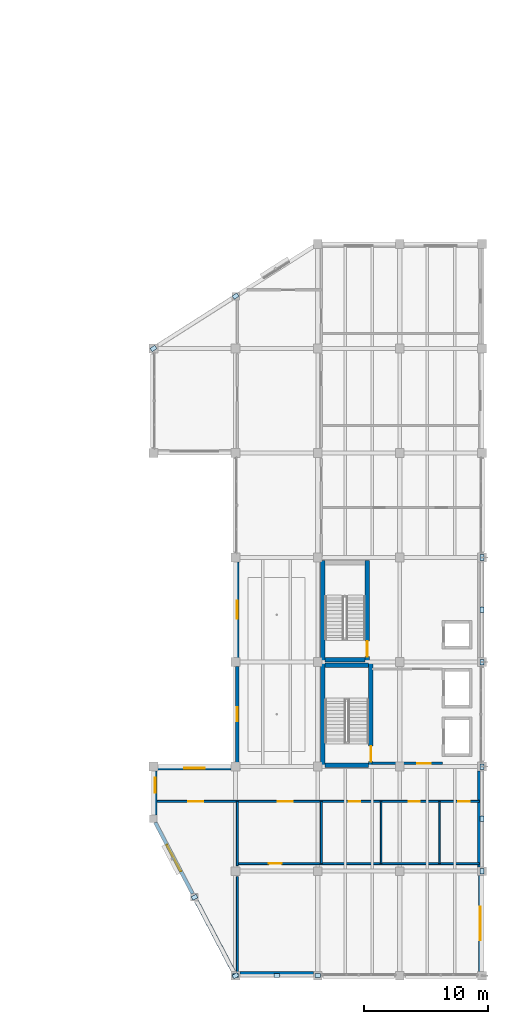
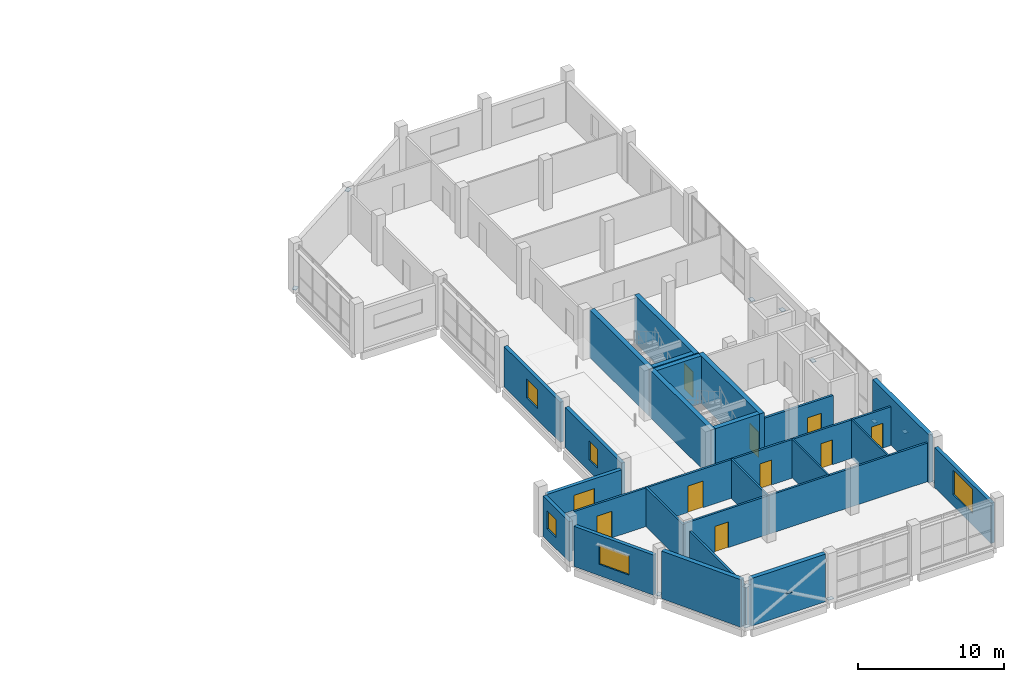
# One storey, part 9 of 19: 26 walls, 13 plates, 9 doors, 6 windows, 15 openings.
"""IFC4 building model written with IfcOpenShell, lengths in metres."""

from ifc_helpers import new_model, si_unit, direction, frame, frame_2d, origin, origin_2d, place, context, subcontext, project, spatial, rectangle, extrude, material, layer, layer_set, type_object, element, fill, save


model = new_model("IFC4")

# Units and contexts
model_context = context("Model", 3, precision=1e-05, world=origin(), true_north=direction((0.0, 1.0)))
body_context = subcontext(model_context, "Body", "Model", "MODEL_VIEW")
ifc_project = project(units=[si_unit("LENGTHUNIT", "METRE"), si_unit("AREAUNIT", "SQUARE_METRE"), si_unit("VOLUMEUNIT", "CUBIC_METRE"), si_unit("PLANEANGLEUNIT", "RADIAN"), si_unit("MASSUNIT", "GRAM", prefix="KILO")], contexts=[model_context])

# Site, building, storey
site_placement = place(None, origin())
site = spatial("IfcSite", under=ifc_project, at=site_placement, CompositionType="ELEMENT")
building_placement = place(site_placement, origin())
building = spatial("IfcBuilding", under=site, at=building_placement, Name="Qaldarim Faculty of Natural and Applied Sciences", CompositionType="ELEMENT")
storey_placement = place(building_placement, frame((0.0, 0.0, 27.0)))
storey = spatial("IfcBuildingStorey", under=building, at=storey_placement, Name="L06", CompositionType="ELEMENT", Elevation=27.0)

# Plates
ifc_material_1 = material(Name="Structural steel S355", Category="steel")
ifc_layer_1 = layer(ifc_material_1, 0.02001953125)
ifc_layer_set_1 = layer_set([ifc_layer_1], Name="Structural steel S355")
plate_type = type_object("IfcPlateType", Name="GussetPlate-S355-450x320x20", PredefinedType="SHEET", material=ifc_layer_set_1)
for number, where, z_axis, x_axis, name in (
    (1, (161.699951171875, 0.0, 1.830078125), (0.0, 0.0, 1.0), (1.0, 0.0, 0.0), "South diagrid L06 X-crossing gusset plate"),
    (2, (158.39990234375, 0.0, 0.139892578125), (0.0, 0.0, 1.0), (1.0, 0.0, 0.0), "South diagrid L06 base gusset BL"),
    (3, (165.0, 0.0, 0.139892578125), (0.0, 0.0, 1.0), (1.0, 0.0, 0.0), "South diagrid L06 base gusset BR"),
    (4, (178.199951171875, 12.60009765625, 1.830078125), (0.0, 0.0, 1.0), (0.0, 1.0, 0.0), "East diagrid L06 X-crossing gusset plate"),
    (5, (178.199951171875, 8.39990234375, 0.139892578125), (0.0, 0.0, 1.0), (0.0, 1.0, 0.0), "East diagrid L06 base gusset BL"),
    (6, (178.199951171875, 16.800048828125, 0.139892578125), (0.0, 0.0, 1.0), (0.0, 1.0, 0.0), "East diagrid L06 base gusset BR"),
    (7, (178.199951171875, 29.39990234375, 1.830078125), (0.0, 0.0, 1.0), (0.0, 1.0, 0.0), "Upper east diagrid L06 X-crossing gusset plate"),
    (8, (178.199951171875, 25.199951171875, 0.139892578125), (0.0, 0.0, 1.0), (0.0, 1.0, 0.0), "Upper east diagrid L06 base gusset BL"),
    (9, (178.199951171875, 33.60009765625, 0.139892578125), (0.0, 0.0, 1.0), (0.0, 1.0, 0.0), "Upper east diagrid L06 base gusset BR"),
    (10, (155.10009765625, 6.300048828125, 0.14990234375), (0.0, 0.0, 1.0), (0.882947592859, 0.469471562786, 0.0), "Oblique SW brace base plate L06 2"),
    (11, (158.39990234375, 0.0, 3.510009765625), (0.0, 0.0, 1.0), (0.882947592859, 0.469471562786, 0.0), "Oblique SW brace head plate L06 2"),
    (12, (151.800048828125, 50.39990234375, 0.14990234375), (0.0, 0.0, 1.0), (0.838670567945, 0.544639035015, 0.0), "Oblique NW brace base plate L06"),
    (13, (158.39990234375, 54.60009765625, 3.510009765625), (0.0, 0.0, 1.0), (0.838670567945, 0.544639035015, 0.0), "Oblique NW brace head plate L06"),
):
    element("IfcPlate", number, at=place(storey_placement, frame(where, z_axis=z_axis, x_axis=x_axis)), inside=storey, type_object=plate_type, Name=name, PredefinedType="SHEET", context=body_context, shape_type="SweptSolid", body=[
        extrude(rectangle(XDim=0.449951171875, YDim=0.320068359375, at=origin_2d()), origin(), (0.0, 0.0, 1.0), 0.02001953125),
    ])

# Walls
ifc_material_2 = material(Name="Painted gypsum partition board")
ifc_layer_2 = layer(ifc_material_2, 0.1201171875)
ifc_layer_set_2 = layer_set([ifc_layer_2], Name="Painted gypsum partition board")
wall_type_1 = type_object("IfcWallType", Name="AcousticPartition-120", PredefinedType="PARTITIONING", material=ifc_layer_set_2)
for number, where, z_axis, x_axis, name in (
    (14, (170.10009765625, 9.0, 0.0), (0.0, 0.0, 1.0), (0.0, 1.0, 0.0), "Interior partition PRT-L06-V5-WCD1"),
    (15, (174.800048828125, 9.0, 0.0), (0.0, 0.0, 1.0), (0.0, 1.0, 0.0), "Interior partition PRT-L06-V5-WCD2"),
):
    element("IfcWall", number, at=place(storey_placement, frame(where, z_axis=z_axis, x_axis=x_axis)), inside=storey, type_object=wall_type_1, Name=name, PredefinedType="PARTITIONING", context=body_context, shape_type="SweptSolid", body=[
        extrude(rectangle(XDim=5.0, YDim=0.1201171875, at=frame_2d((2.5, 0.0))), origin(), (0.0, 0.0, 1.0), 3.22998046875),
    ])
ifc_material_3 = material(Name="Concrete C50/60", Category="concrete")
ifc_layer_3 = layer(ifc_material_3, 0.360107421875)
ifc_layer_set_3 = layer_set([ifc_layer_3], Name="Concrete C50/60")
wall_type_2 = type_object("IfcWallType", Name="CoreShearWall-360", PredefinedType="SHEAR", material=ifc_layer_set_3)
wall_1_placement = place(storey_placement, frame((165.419921875, 16.739990234375, 0.0), z_axis=(0.0, 0.0, 1.0), x_axis=(0.0, 1.0, 0.0)))
element("IfcWall", 16, at=wall_1_placement, inside=storey, type_object=wall_type_2, Name="Core stair ST-A1 west shear wall L06", PredefinedType="SHEAR", context=body_context, shape_type="SweptSolid", body=[
    extrude(rectangle(XDim=8.3701171875, YDim=0.360107421875, at=frame_2d((4.18505859375, 0.0))), origin(), (0.0, 0.0, 1.0), 3.97998046875),
])

# Wall, opening, door
wall_2_placement = place(storey_placement, frame((169.280029296875, 16.739990234375, 0.0), z_axis=(0.0, 0.0, 1.0), x_axis=(0.0, 1.0, 0.0)))
wall_2 = element("IfcWall", 17, at=wall_2_placement, inside=storey, type_object=wall_type_2, Name="Core stair ST-A1 east shear wall L06", PredefinedType="SHEAR", context=body_context, shape_type="SweptSolid", body=[
    extrude(rectangle(XDim=8.3701171875, YDim=0.360107421875, at=frame_2d((4.18505859375, 0.0))), origin(), (0.0, 0.0, 1.0), 3.97998046875),
])
opening_1_placement = place(wall_2_placement, frame((0.449951171875, 0.0, 0.0)))
opening_1 = element("IfcOpeningElement", 18, at=opening_1_placement, cuts=wall_2, Name="Opening ID04", PredefinedType="OPENING", context=body_context, shape_type="SweptSolid", body=[
    extrude(rectangle(XDim=1.25, YDim=2.14990234375, at=frame_2d((0.625, 1.074951171875))), frame((0.0, 0.18994140625, 0.0), z_axis=(0.0, -1.0, 0.0), x_axis=(1.0, 0.0, 0.0)), (0.0, 0.0, 1.0), 0.380126953125),
])
ifc_material_4 = material(Name="Architectural stainless steel 316", Category="steel")
door_type_1 = type_object("IfcDoorType", Name="StairEnclosureFireDoor-1250x2150", OperationType="NOTDEFINED", PredefinedType="DOOR", material=ifc_material_4)
door_1_placement = place(opening_1_placement, origin())
door_1 = element("IfcDoor", 19, at=door_1_placement, inside=storey, type_object=door_type_1, Name="Protected stair ST-A1 fire door D-L06-508", OperationType="SINGLE_SWING_RIGHT", OverallHeight=2.14990234375, OverallWidth=1.25, PredefinedType="DOOR", context=body_context, shape_type="SweptSolid", body=[
    extrude(rectangle(XDim=1.25, YDim=2.14990234375, at=frame_2d((0.625, 1.074951171875))), frame((0.0, 0.02490234375, 0.0), z_axis=(0.0, -1.0, 0.0), x_axis=(1.0, 0.0, 0.0)), (0.0, 0.0, 1.0), 0.050048828125),
])
fill(opening_1, door_1)

# Walls
for number, where, z_axis, x_axis, name in (
    (20, (165.60009765625, 24.929931640625, 0.0), (0.0, 0.0, 1.0), (1.0, 0.0, 0.0), "Core stair ST-A1 north shear wall L06"),
    (21, (165.60009765625, 16.919921875, 0.0), (0.0, 0.0, 1.0), (1.0, 0.0, 0.0), "Core stair ST-A1 south shear wall L06"),
):
    element("IfcWall", number, at=place(storey_placement, frame(where, z_axis=z_axis, x_axis=x_axis)), inside=storey, type_object=wall_type_2, Name=name, PredefinedType="SHEAR", context=body_context, shape_type="SweptSolid", body=[
        extrude(rectangle(XDim=3.5, YDim=0.360107421875, at=frame_2d((1.75, 0.0))), origin(), (0.0, 0.0, 1.0), 3.97998046875),
    ])
wall_3_placement = place(storey_placement, frame((165.419921875, 25.18994140625, 0.0), z_axis=(0.0, 0.0, 1.0), x_axis=(0.0, 1.0, 0.0)))
element("IfcWall", 22, at=wall_3_placement, inside=storey, type_object=wall_type_2, Name="Core stair ST-A2 west shear wall L06", PredefinedType="SHEAR", context=body_context, shape_type="SweptSolid", body=[
    extrude(rectangle(XDim=8.170166015625, YDim=0.360107421875, at=frame_2d((4.0849609375, 0.0))), origin(), (0.0, 0.0, 1.0), 3.97998046875),
])

# Wall, opening, door
wall_4_placement = place(storey_placement, frame((168.97998046875, 25.18994140625, 0.0), z_axis=(0.0, 0.0, 1.0), x_axis=(0.0, 1.0, 0.0)))
wall_4 = element("IfcWall", 23, at=wall_4_placement, inside=storey, type_object=wall_type_2, Name="Core stair ST-A2 east shear wall L06", PredefinedType="SHEAR", context=body_context, shape_type="SweptSolid", body=[
    extrude(rectangle(XDim=8.170166015625, YDim=0.360107421875, at=frame_2d((4.0849609375, 0.0))), origin(), (0.0, 0.0, 1.0), 3.97998046875),
])
opening_2_placement = place(wall_4_placement, frame((0.449951171875, 0.0, 0.0)))
opening_2 = element("IfcOpeningElement", 24, at=opening_2_placement, cuts=wall_4, Name="Opening ID04", PredefinedType="OPENING", context=body_context, shape_type="SweptSolid", body=[
    extrude(rectangle(XDim=1.25, YDim=2.14990234375, at=frame_2d((0.625, 1.074951171875))), frame((0.0, 0.18994140625, 0.0), z_axis=(0.0, -1.0, 0.0), x_axis=(1.0, 0.0, 0.0)), (0.0, 0.0, 1.0), 0.380126953125),
])
door_2_placement = place(opening_2_placement, origin())
door_2 = element("IfcDoor", 25, at=door_2_placement, inside=storey, type_object=door_type_1, Name="Protected stair ST-A2 fire door D-L06-520", OperationType="SINGLE_SWING_RIGHT", OverallHeight=2.14990234375, OverallWidth=1.25, PredefinedType="DOOR", context=body_context, shape_type="SweptSolid", body=[
    extrude(rectangle(XDim=1.25, YDim=2.14990234375, at=frame_2d((0.625, 1.074951171875))), frame((0.0, 0.02490234375, 0.0), z_axis=(0.0, -1.0, 0.0), x_axis=(1.0, 0.0, 0.0)), (0.0, 0.0, 1.0), 0.050048828125),
])
fill(opening_2, door_2)

# Wall
wall_5_placement = place(storey_placement, frame((165.60009765625, 25.3701171875, 0.0), z_axis=(0.0, 0.0, 1.0), x_axis=(1.0, 0.0, 0.0)))
element("IfcWall", 26, at=wall_5_placement, inside=storey, type_object=wall_type_2, Name="Core stair ST-A2 south shear wall L06", PredefinedType="SHEAR", context=body_context, shape_type="SweptSolid", body=[
    extrude(rectangle(XDim=3.199951171875, YDim=0.360107421875, at=frame_2d((1.60009765625, 0.0))), origin(), (0.0, 0.0, 1.0), 3.97998046875),
])

# Wall, opening, window
ifc_material_5 = material(Name="Precast concrete C40/50", Category="concrete")
ifc_layer_4 = layer(ifc_material_5, 0.280029296875)
ifc_layer_set_4 = layer_set([ifc_layer_4], Name="Precast concrete C40/50")
wall_type_3 = type_object("IfcWallType", Name="ExteriorSpandrelWall-280", PredefinedType="SOLIDWALL", material=ifc_layer_set_4)
wall_6_placement = place(storey_placement, frame((158.054931640625, 16.659912109375, 0.0), z_axis=(0.0, 0.0, 1.0), x_axis=(-1.0, 0.0, 0.0)))
wall_6 = element("IfcWall", 27, at=wall_6_placement, inside=storey, type_object=wall_type_3, Name="Exterior wall EW02 L06 N X24Y02", PredefinedType="SOLIDWALL", context=body_context, shape_type="SweptSolid", body=[
    extrude(rectangle(XDim=5.909912109375, YDim=0.280029296875, at=frame_2d((2.955078125, 0.0))), origin(), (0.0, 0.0, 1.0), 3.31494140625),
])
opening_3_placement = place(wall_6_placement, frame((2.1298828125, 0.0, 0.949951171875)))
opening_3 = element("IfcOpeningElement", 28, at=opening_3_placement, cuts=wall_6, Name="Opening WN10", PredefinedType="OPENING", context=body_context, shape_type="SweptSolid", body=[
    extrude(rectangle(XDim=1.64990234375, YDim=1.550048828125, at=frame_2d((0.824951171875, 0.77490234375))), frame((0.0, 0.14990234375, 0.0), z_axis=(0.0, -1.0, 0.0), x_axis=(1.0, 0.0, 0.0)), (0.0, 0.0, 1.0), 0.300048828125),
])
ifc_material_6 = material(Name="Insulated low-e double glazing", Category="glass")
window_type_1 = type_object("IfcWindowType", Name="LabWindow-1650x1550", PartitioningType="DOUBLE_PANEL_VERTICAL", PredefinedType="WINDOW", material=ifc_material_6)
window_1_placement = place(opening_3_placement, origin())
window_1 = element("IfcWindow", 29, at=window_1_placement, inside=storey, type_object=window_type_1, Name="Facade window WN10 L06 N X24Y02", OverallHeight=1.550048828125, OverallWidth=1.64990234375, PartitioningType="SINGLE_PANEL", PredefinedType="WINDOW", context=body_context, shape_type="SweptSolid", body=[
    extrude(rectangle(XDim=1.64990234375, YDim=1.550048828125, at=frame_2d((0.824951171875, 0.77490234375))), frame((0.0, 0.030029296875, 0.0), z_axis=(0.0, -1.0, 0.0), x_axis=(1.0, 0.0, 0.0)), (0.0, 0.0, 1.0), 0.06005859375),
])
fill(opening_3, window_1)

wall_7_placement = place(storey_placement, frame((158.5400390625, 24.85498046875, 0.0), z_axis=(0.0, 0.0, 1.0), x_axis=(0.0, -1.0, 0.0)))
wall_7 = element("IfcWall", 30, at=wall_7_placement, inside=storey, type_object=wall_type_3, Name="Exterior wall EW02 L06 W X25Y03", PredefinedType="SOLIDWALL", context=body_context, shape_type="SweptSolid", body=[
    extrude(rectangle(XDim=7.7099609375, YDim=0.280029296875, at=frame_2d((3.85498046875, 0.0))), origin(), (0.0, 0.0, 1.0), 3.364990234375),
])
opening_4_placement = place(wall_7_placement, frame((3.280029296875, 0.0, 0.949951171875)))
opening_4 = element("IfcOpeningElement", 31, at=opening_4_placement, cuts=wall_7, Name="Opening WN31", PredefinedType="OPENING", context=body_context, shape_type="SweptSolid", body=[
    extrude(rectangle(XDim=1.14990234375, YDim=1.60009765625, at=frame_2d((0.574951171875, 0.800048828125))), frame((0.0, 0.14990234375, 0.0), z_axis=(0.0, -1.0, 0.0), x_axis=(1.0, 0.0, 0.0)), (0.0, 0.0, 1.0), 0.300048828125),
])
window_type_2 = type_object("IfcWindowType", Name="SeminarWindow-1150x1600", PartitioningType="SINGLE_PANEL", PredefinedType="WINDOW", material=ifc_material_6)
window_2_placement = place(opening_4_placement, origin())
window_2 = element("IfcWindow", 32, at=window_2_placement, inside=storey, type_object=window_type_2, Name="Facade window WN31 L06 W X25Y03", OverallHeight=1.60009765625, OverallWidth=1.14990234375, PartitioningType="SINGLE_PANEL", PredefinedType="WINDOW", context=body_context, shape_type="SweptSolid", body=[
    extrude(rectangle(XDim=1.14990234375, YDim=1.60009765625, at=frame_2d((0.574951171875, 0.800048828125))), frame((0.0, 0.030029296875, 0.0), z_axis=(0.0, -1.0, 0.0), x_axis=(1.0, 0.0, 0.0)), (0.0, 0.0, 1.0), 0.06005859375),
])
fill(opening_4, window_2)

wall_8_placement = place(storey_placement, frame((158.5400390625, 33.2548828125, 0.0), z_axis=(0.0, 0.0, 1.0), x_axis=(0.0, -1.0, 0.0)))
wall_8 = element("IfcWall", 33, at=wall_8_placement, inside=storey, type_object=wall_type_3, Name="Exterior wall EW02 L06 W X25Y04", PredefinedType="SOLIDWALL", context=body_context, shape_type="SweptSolid", body=[
    extrude(rectangle(XDim=7.7099609375, YDim=0.280029296875, at=frame_2d((3.85498046875, 0.0))), origin(), (0.0, 0.0, 1.0), 3.364990234375),
])
opening_5_placement = place(wall_8_placement, frame((3.1298828125, 0.0, 0.949951171875)))
opening_5 = element("IfcOpeningElement", 34, at=opening_5_placement, cuts=wall_8, Name="Opening WN32", PredefinedType="OPENING", context=body_context, shape_type="SweptSolid", body=[
    extrude(rectangle(XDim=1.449951171875, YDim=1.60009765625, at=frame_2d((0.72509765625, 0.800048828125))), frame((0.0, 0.14990234375, 0.0), z_axis=(0.0, -1.0, 0.0), x_axis=(1.0, 0.0, 0.0)), (0.0, 0.0, 1.0), 0.300048828125),
])
window_type_3 = type_object("IfcWindowType", Name="SeminarWindow-1450x1600", PartitioningType="DOUBLE_PANEL_VERTICAL", PredefinedType="WINDOW", material=ifc_material_6)
window_3_placement = place(opening_5_placement, origin())
window_3 = element("IfcWindow", 35, at=window_3_placement, inside=storey, type_object=window_type_3, Name="Facade window WN32 L06 W X25Y04", OverallHeight=1.60009765625, OverallWidth=1.449951171875, PartitioningType="SINGLE_PANEL", PredefinedType="WINDOW", context=body_context, shape_type="SweptSolid", body=[
    extrude(rectangle(XDim=1.449951171875, YDim=1.60009765625, at=frame_2d((0.72509765625, 0.800048828125))), frame((0.0, 0.030029296875, 0.0), z_axis=(0.0, -1.0, 0.0), x_axis=(1.0, 0.0, 0.0)), (0.0, 0.0, 1.0), 0.06005859375),
])
fill(opening_5, window_3)

wall_9_placement = place(storey_placement, frame((178.06005859375, 0.344970703125, 0.0), z_axis=(0.0, 0.0, 1.0), x_axis=(0.0, 1.0, 0.0)))
wall_9 = element("IfcWall", 36, at=wall_9_placement, inside=storey, type_object=wall_type_3, Name="Exterior wall EW02 L06 E X27Y01", PredefinedType="SOLIDWALL", context=body_context, shape_type="SweptSolid", body=[
    extrude(rectangle(XDim=7.7099609375, YDim=0.280029296875, at=frame_2d((3.85498046875, 0.0))), origin(), (0.0, 0.0, 1.0), 3.364990234375),
])
opening_6_placement = place(wall_9_placement, frame((2.5048828125, 0.0, 0.949951171875)))
opening_6 = element("IfcOpeningElement", 37, at=opening_6_placement, cuts=wall_9, Name="Opening WN29", PredefinedType="OPENING", context=body_context, shape_type="SweptSolid", body=[
    extrude(rectangle(XDim=2.699951171875, YDim=2.050048828125, at=frame_2d((1.35009765625, 1.02490234375))), frame((0.0, 0.14990234375, 0.0), z_axis=(0.0, -1.0, 0.0), x_axis=(1.0, 0.0, 0.0)), (0.0, 0.0, 1.0), 0.300048828125),
])
window_type_4 = type_object("IfcWindowType", Name="GalleryWindow-2700x2050", PartitioningType="TRIPLE_PANEL_VERTICAL", PredefinedType="WINDOW", material=ifc_material_6)
window_4_placement = place(opening_6_placement, origin())
window_4 = element("IfcWindow", 38, at=window_4_placement, inside=storey, type_object=window_type_4, Name="Facade window WN29 L06 E X27Y01", OverallHeight=2.050048828125, OverallWidth=2.699951171875, PartitioningType="SINGLE_PANEL", PredefinedType="WINDOW", context=body_context, shape_type="SweptSolid", body=[
    extrude(rectangle(XDim=2.699951171875, YDim=2.050048828125, at=frame_2d((1.35009765625, 1.02490234375))), frame((0.0, 0.030029296875, 0.0), z_axis=(0.0, -1.0, 0.0), x_axis=(1.0, 0.0, 0.0)), (0.0, 0.0, 1.0), 0.06005859375),
])
fill(opening_6, window_4)

wall_10_placement = place(storey_placement, frame((151.93994140625, 16.455078125, 0.0), z_axis=(0.0, 0.0, 1.0), x_axis=(0.0, -1.0, 0.0)))
wall_10 = element("IfcWall", 39, at=wall_10_placement, inside=storey, type_object=wall_type_3, Name="Oblique SW chamfer return facade wall L06", PredefinedType="SOLIDWALL", context=body_context, shape_type="SweptSolid", body=[
    extrude(rectangle(XDim=3.56005859375, YDim=0.280029296875, at=frame_2d((1.780029296875, 0.0))), origin(), (0.0, 0.0, 1.0), 3.364990234375),
])
opening_7_placement = place(wall_10_placement, frame((0.550048828125, 0.0, 0.949951171875)))
opening_7 = element("IfcOpeningElement", 40, at=opening_7_placement, cuts=wall_10, Name="Opening WN01", PredefinedType="OPENING", context=body_context, shape_type="SweptSolid", body=[
    extrude(rectangle(XDim=1.199951171875, YDim=1.5, at=frame_2d((0.60009765625, 0.75))), frame((0.0, 0.14990234375, 0.0), z_axis=(0.0, -1.0, 0.0), x_axis=(1.0, 0.0, 0.0)), (0.0, 0.0, 1.0), 0.300048828125),
])
window_type_5 = type_object("IfcWindowType", Name="Window-1200x1500", PartitioningType="SINGLE_PANEL", PredefinedType="WINDOW", material=ifc_material_6)
window_5_placement = place(opening_7_placement, origin())
window_5 = element("IfcWindow", 41, at=window_5_placement, inside=storey, type_object=window_type_5, Name="Oblique SW return window L06", OverallHeight=1.5, OverallWidth=1.199951171875, PartitioningType="SINGLE_PANEL", PredefinedType="WINDOW", context=body_context, shape_type="SweptSolid", body=[
    extrude(rectangle(XDim=1.199951171875, YDim=1.5, at=frame_2d((0.60009765625, 0.75))), frame((0.0, 0.030029296875, 0.0), z_axis=(0.0, -1.0, 0.0), x_axis=(1.0, 0.0, 0.0)), (0.0, 0.0, 1.0), 0.06005859375),
])
fill(opening_7, window_5)

wall_11_placement = place(storey_placement, frame((151.949951171875, 12.31005859375, 0.0), z_axis=(0.0, 0.0, 1.0), x_axis=(0.464471613901, -0.885588007981, 0.0)))
wall_11 = element("IfcWall", 42, at=wall_11_placement, inside=storey, type_object=wall_type_3, Name="Oblique SW chamfer fenestrated wall L06 1", PredefinedType="SOLIDWALL", context=body_context, shape_type="SweptSolid", body=[
    extrude(rectangle(XDim=6.458984375, YDim=0.280029296875, at=frame_2d((3.2294921875, 0.0))), origin(), (0.0, 0.0, 1.0), 3.364990234375),
])
opening_8_placement = place(wall_11_placement, frame((2.030029296875, 0.0, 0.949951171875)))
opening_8 = element("IfcOpeningElement", 43, at=opening_8_placement, cuts=wall_11, Name="Opening WN03", PredefinedType="OPENING", context=body_context, shape_type="SweptSolid", body=[
    extrude(rectangle(XDim=2.39990234375, YDim=1.60009765625, at=frame_2d((1.199951171875, 0.800048828125))), frame((0.0, 0.14990234375, 0.0), z_axis=(0.0, -1.0, 0.0), x_axis=(1.0, 0.0, 0.0)), (0.0, 0.0, 1.0), 0.300048828125),
])
window_type_6 = type_object("IfcWindowType", Name="Window-2400x1600", PartitioningType="TRIPLE_PANEL_VERTICAL", PredefinedType="WINDOW", material=ifc_material_6)
window_6_placement = place(opening_8_placement, origin())
window_6 = element("IfcWindow", 44, at=window_6_placement, inside=storey, type_object=window_type_6, Name="Oblique SW chamfer window L06 1", OverallHeight=1.60009765625, OverallWidth=2.39990234375, PartitioningType="SINGLE_PANEL", PredefinedType="WINDOW", context=body_context, shape_type="SweptSolid", body=[
    extrude(rectangle(XDim=2.39990234375, YDim=1.60009765625, at=frame_2d((1.199951171875, 0.800048828125))), frame((0.0, 0.030029296875, 0.0), z_axis=(0.0, -1.0, 0.0), x_axis=(1.0, 0.0, 0.0)), (0.0, 0.0, 1.0), 0.06005859375),
])
fill(opening_8, window_6)

# Walls
ifc_layer_5 = layer(ifc_material_3, 0.340087890625)
ifc_layer_set_5 = layer_set([ifc_layer_5], Name="Concrete C50/60")
wall_type_4 = type_object("IfcWallType", Name="ExteriorStairShearWall-340", PredefinedType="SHEAR", material=ifc_layer_set_5)
wall_12_placement = place(storey_placement, frame((158.7451171875, 0.169921875, 0.0), z_axis=(0.0, 0.0, 1.0), x_axis=(1.0, 0.0, 0.0)))
element("IfcWall", 45, at=wall_12_placement, inside=storey, type_object=wall_type_4, Name="Exterior wall EW05 L06 S X25Y01", PredefinedType="SHEAR", context=body_context, shape_type="SweptSolid", body=[
    extrude(rectangle(XDim=5.909912109375, YDim=0.340087890625, at=frame_2d((2.955078125, 0.0))), origin(), (0.0, 0.0, 1.0), 3.97998046875),
])
wall_13_placement = place(storey_placement, frame((178.030029296875, 8.7451171875, 0.0), z_axis=(0.0, 0.0, 1.0), x_axis=(0.0, 1.0, 0.0)))
element("IfcWall", 46, at=wall_13_placement, inside=storey, type_object=wall_type_4, Name="Exterior wall EW05 L06 E X27Y02", PredefinedType="SHEAR", context=body_context, shape_type="SweptSolid", body=[
    extrude(rectangle(XDim=7.7099609375, YDim=0.340087890625, at=frame_2d((3.85498046875, 0.0))), origin(), (0.0, 0.0, 1.0), 3.97998046875),
])
wall_14_placement = place(storey_placement, frame((155.25, 6.010009765625, 0.0), z_axis=(0.0, 0.0, 1.0), x_axis=(0.464471613901, -0.885588007981, 0.0)))
element("IfcWall", 47, at=wall_14_placement, inside=storey, type_object=wall_type_4, Name="Oblique SW chamfer braced wall L06 2", PredefinedType="SHEAR", context=body_context, shape_type="SweptSolid", body=[
    extrude(rectangle(XDim=6.458984375, YDim=0.340087890625, at=frame_2d((3.2294921875, 0.0))), origin(), (0.0, 0.0, 1.0), 3.97998046875),
])

# Wall, openings, doors
ifc_material_7 = material(Name="Concrete C40/50", Category="concrete")
ifc_layer_6 = layer(ifc_material_7, 0.159912109375)
ifc_layer_set_6 = layer_set([ifc_layer_6], Name="Concrete C40/50")
wall_type_5 = type_object("IfcWallType", Name="FireCorridorWall-160", PredefinedType="PARTITIONING", material=ifc_layer_set_6)
wall_15_placement = place(storey_placement, frame((165.300048828125, 14.0, 0.0), z_axis=(0.0, 0.0, 1.0), x_axis=(1.0, 0.0, 0.0)))
wall_15 = element("IfcWall", 48, at=wall_15_placement, inside=storey, type_object=wall_type_5, Name="Interior partition PRT-L06-V5-WCN", PredefinedType="PARTITIONING", context=body_context, shape_type="SweptSolid", body=[
    extrude(rectangle(XDim=12.699951171875, YDim=0.159912109375, at=frame_2d((6.35009765625, 0.0))), origin(), (0.0, 0.0, 1.0), 3.22998046875),
])
opening_9_placement = place(wall_15_placement, frame((2.199951171875, 0.0, 0.0)))
opening_9 = element("IfcOpeningElement", 49, at=opening_9_placement, cuts=wall_15, Name="Opening ID14", PredefinedType="OPENING", context=body_context, shape_type="SweptSolid", body=[
    extrude(rectangle(XDim=0.919921875, YDim=2.080078125, at=frame_2d((0.4599609375, 1.0400390625))), frame((0.0, 0.08984375, 0.0), z_axis=(0.0, -1.0, 0.0), x_axis=(1.0, 0.0, 0.0)), (0.0, 0.0, 1.0), 0.179931640625),
])
opening_10_placement = place(wall_15_placement, frame((7.0, 0.0, 0.0)))
opening_10 = element("IfcOpeningElement", 50, at=opening_10_placement, cuts=wall_15, Name="Opening ID14", PredefinedType="OPENING", context=body_context, shape_type="SweptSolid", body=[
    extrude(rectangle(XDim=0.919921875, YDim=2.080078125, at=frame_2d((0.4599609375, 1.0400390625))), frame((0.0, 0.08984375, 0.0), z_axis=(0.0, -1.0, 0.0), x_axis=(1.0, 0.0, 0.0)), (0.0, 0.0, 1.0), 0.179931640625),
])
opening_11_placement = place(wall_15_placement, frame((11.0, 0.0, 0.0)))
opening_11 = element("IfcOpeningElement", 51, at=opening_11_placement, cuts=wall_15, Name="Opening ID14", PredefinedType="OPENING", context=body_context, shape_type="SweptSolid", body=[
    extrude(rectangle(XDim=0.919921875, YDim=2.080078125, at=frame_2d((0.4599609375, 1.0400390625))), frame((0.0, 0.08984375, 0.0), z_axis=(0.0, -1.0, 0.0), x_axis=(1.0, 0.0, 0.0)), (0.0, 0.0, 1.0), 0.179931640625),
])
ifc_material_8 = material(Name="Oak hardwood", Category="wood")
door_type_2 = type_object("IfcDoorType", Name="WashroomDoor-920x2080", OperationType="NOTDEFINED", PredefinedType="DOOR", material=ifc_material_8)
door_3_placement = place(opening_9_placement, origin())
door_3 = element("IfcDoor", 52, at=door_3_placement, inside=storey, type_object=door_type_2, Name="Interior door D-L06-122", OperationType="SINGLE_SWING_LEFT", OverallHeight=2.080078125, OverallWidth=0.919921875, PredefinedType="DOOR", context=body_context, shape_type="SweptSolid", body=[
    extrude(rectangle(XDim=0.919921875, YDim=2.080078125, at=frame_2d((0.4599609375, 1.0400390625))), frame((0.0, 0.02490234375, 0.0), z_axis=(0.0, -1.0, 0.0), x_axis=(1.0, 0.0, 0.0)), (0.0, 0.0, 1.0), 0.050048828125),
])
fill(opening_9, door_3)
door_4_placement = place(opening_10_placement, origin())
door_4 = element("IfcDoor", 53, at=door_4_placement, inside=storey, type_object=door_type_2, Name="Interior door D-L06-123", OperationType="SINGLE_SWING_RIGHT", OverallHeight=2.080078125, OverallWidth=0.919921875, PredefinedType="DOOR", context=body_context, shape_type="SweptSolid", body=[
    extrude(rectangle(XDim=0.919921875, YDim=2.080078125, at=frame_2d((0.4599609375, 1.0400390625))), frame((0.0, 0.02490234375, 0.0), z_axis=(0.0, -1.0, 0.0), x_axis=(1.0, 0.0, 0.0)), (0.0, 0.0, 1.0), 0.050048828125),
])
fill(opening_10, door_4)
door_5_placement = place(opening_11_placement, origin())
door_5 = element("IfcDoor", 54, at=door_5_placement, inside=storey, type_object=door_type_2, Name="Interior door D-L06-124", OperationType="SINGLE_SWING_LEFT", OverallHeight=2.080078125, OverallWidth=0.919921875, PredefinedType="DOOR", context=body_context, shape_type="SweptSolid", body=[
    extrude(rectangle(XDim=0.919921875, YDim=2.080078125, at=frame_2d((0.4599609375, 1.0400390625))), frame((0.0, 0.02490234375, 0.0), z_axis=(0.0, -1.0, 0.0), x_axis=(1.0, 0.0, 0.0)), (0.0, 0.0, 1.0), 0.050048828125),
])
fill(opening_11, door_5)

# Walls
wall_16_placement = place(storey_placement, frame((165.300048828125, 9.0, 0.0), z_axis=(0.0, 0.0, 1.0), x_axis=(1.0, 0.0, 0.0)))
element("IfcWall", 55, at=wall_16_placement, inside=storey, type_object=wall_type_5, Name="Interior partition PRT-L06-V5-WCS", PredefinedType="PARTITIONING", context=body_context, shape_type="SweptSolid", body=[
    extrude(rectangle(XDim=12.699951171875, YDim=0.159912109375, at=frame_2d((6.35009765625, 0.0))), origin(), (0.0, 0.0, 1.0), 3.22998046875),
])
wall_17_placement = place(storey_placement, frame((165.300048828125, 9.0, 0.0), z_axis=(0.0, 0.0, 1.0), x_axis=(0.0, 1.0, 0.0)))
element("IfcWall", 56, at=wall_17_placement, inside=storey, type_object=wall_type_5, Name="Interior partition PRT-L06-V5-WCW", PredefinedType="PARTITIONING", context=body_context, shape_type="SweptSolid", body=[
    extrude(rectangle(XDim=5.0, YDim=0.159912109375, at=frame_2d((2.5, 0.0))), origin(), (0.0, 0.0, 1.0), 3.22998046875),
])

# Wall, opening, door
wall_18_placement = place(storey_placement, frame((158.550048828125, 9.0, 0.0), z_axis=(0.0, 0.0, 1.0), x_axis=(1.0, 0.0, 0.0)))
wall_18 = element("IfcWall", 57, at=wall_18_placement, inside=storey, type_object=wall_type_5, Name="Interior partition PRT-L06-U-SW", PredefinedType="PARTITIONING", context=body_context, shape_type="SweptSolid", body=[
    extrude(rectangle(XDim=6.75, YDim=0.159912109375, at=frame_2d((3.375, 0.0))), origin(), (0.0, 0.0, 1.0), 3.22998046875),
])
opening_12_placement = place(wall_18_placement, frame((2.5, 0.0, 0.0)))
opening_12 = element("IfcOpeningElement", 58, at=opening_12_placement, cuts=wall_18, Name="Opening ID02", PredefinedType="OPENING", context=body_context, shape_type="SweptSolid", body=[
    extrude(rectangle(XDim=1.050048828125, YDim=2.14990234375, at=frame_2d((0.52490234375, 1.074951171875))), frame((0.0, 0.08984375, 0.0), z_axis=(0.0, -1.0, 0.0), x_axis=(1.0, 0.0, 0.0)), (0.0, 0.0, 1.0), 0.179931640625),
])
door_type_3 = type_object("IfcDoorType", Name="AccessibleRoomDoor-1050x2150", OperationType="NOTDEFINED", PredefinedType="DOOR", material=ifc_material_8)
door_6_placement = place(opening_12_placement, origin())
door_6 = element("IfcDoor", 59, at=door_6_placement, inside=storey, type_object=door_type_3, Name="Interior door D-L06-265", OperationType="SINGLE_SWING_LEFT", OverallHeight=2.14990234375, OverallWidth=1.050048828125, PredefinedType="DOOR", context=body_context, shape_type="SweptSolid", body=[
    extrude(rectangle(XDim=1.050048828125, YDim=2.14990234375, at=frame_2d((0.52490234375, 1.074951171875))), frame((0.0, 0.02490234375, 0.0), z_axis=(0.0, -1.0, 0.0), x_axis=(1.0, 0.0, 0.0)), (0.0, 0.0, 1.0), 0.050048828125),
])
fill(opening_12, door_6)

# Walls
wall_19_placement = place(storey_placement, frame((158.550048828125, 0.25, 0.0), z_axis=(0.0, 0.0, 1.0), x_axis=(0.0, 1.0, 0.0)))
element("IfcWall", 60, at=wall_19_placement, inside=storey, type_object=wall_type_5, Name="Interior partition PRT-L06-V5-SWSE-S1", PredefinedType="PARTITIONING", context=body_context, shape_type="SweptSolid", body=[
    extrude(rectangle(XDim=7.699951171875, YDim=0.159912109375, at=frame_2d((3.85009765625, 0.0))), origin(), (0.0, 0.0, 1.0), 3.22998046875),
])
wall_20_placement = place(storey_placement, frame((158.550048828125, 8.85009765625, 0.0), z_axis=(0.0, 0.0, 1.0), x_axis=(0.0, 1.0, 0.0)))
element("IfcWall", 61, at=wall_20_placement, inside=storey, type_object=wall_type_5, Name="Interior partition PRT-L06-V5-SWSE-S2", PredefinedType="PARTITIONING", context=body_context, shape_type="SweptSolid", body=[
    extrude(rectangle(XDim=5.14990234375, YDim=0.159912109375, at=frame_2d((2.574951171875, 0.0))), origin(), (0.0, 0.0, 1.0), 3.22998046875),
])

# Wall, openings, doors
wall_21_placement = place(storey_placement, frame((152.0, 14.0, 0.0), z_axis=(0.0, 0.0, 1.0), x_axis=(1.0, 0.0, 0.0)))
wall_21 = element("IfcWall", 62, at=wall_21_placement, inside=storey, type_object=wall_type_5, Name="Interior partition PRT-L06-V5-MIDN", PredefinedType="PARTITIONING", context=body_context, shape_type="SweptSolid", body=[
    extrude(rectangle(XDim=13.300048828125, YDim=0.159912109375, at=frame_2d((6.64990234375, 0.0))), origin(), (0.0, 0.0, 1.0), 3.22998046875),
])
opening_13_placement = place(wall_21_placement, frame((2.60009765625, 0.0, 0.0)))
opening_13 = element("IfcOpeningElement", 63, at=opening_13_placement, cuts=wall_21, Name="Opening ID17", PredefinedType="OPENING", context=body_context, shape_type="SweptSolid", body=[
    extrude(rectangle(XDim=1.199951171875, YDim=2.219970703125, at=frame_2d((0.60009765625, 1.10986328125))), frame((0.0, 0.08984375, 0.0), z_axis=(0.0, -1.0, 0.0), x_axis=(1.0, 0.0, 0.0)), (0.0, 0.0, 1.0), 0.179931640625),
])
opening_14_placement = place(wall_21_placement, frame((9.800048828125, 0.0, 0.0)))
opening_14 = element("IfcOpeningElement", 64, at=opening_14_placement, cuts=wall_21, Name="Opening ID17", PredefinedType="OPENING", context=body_context, shape_type="SweptSolid", body=[
    extrude(rectangle(XDim=1.199951171875, YDim=2.219970703125, at=frame_2d((0.60009765625, 1.10986328125))), frame((0.0, 0.08984375, 0.0), z_axis=(0.0, -1.0, 0.0), x_axis=(1.0, 0.0, 0.0)), (0.0, 0.0, 1.0), 0.179931640625),
])
door_type_4 = type_object("IfcDoorType", Name="InstrumentLabDoor-1200x2220", OperationType="NOTDEFINED", PredefinedType="DOOR", material=ifc_material_4)
door_7_placement = place(opening_13_placement, origin())
door_7 = element("IfcDoor", 65, at=door_7_placement, inside=storey, type_object=door_type_4, Name="Interior door D-L06-417", OperationType="SINGLE_SWING_LEFT", OverallHeight=2.219970703125, OverallWidth=1.199951171875, PredefinedType="DOOR", context=body_context, shape_type="SweptSolid", body=[
    extrude(rectangle(XDim=1.199951171875, YDim=2.219970703125, at=frame_2d((0.60009765625, 1.10986328125))), frame((0.0, 0.02490234375, 0.0), z_axis=(0.0, -1.0, 0.0), x_axis=(1.0, 0.0, 0.0)), (0.0, 0.0, 1.0), 0.050048828125),
])
fill(opening_13, door_7)
door_8_placement = place(opening_14_placement, origin())
door_8 = element("IfcDoor", 66, at=door_8_placement, inside=storey, type_object=door_type_4, Name="Interior door D-L06-418", OperationType="SINGLE_SWING_RIGHT", OverallHeight=2.219970703125, OverallWidth=1.199951171875, PredefinedType="DOOR", context=body_context, shape_type="SweptSolid", body=[
    extrude(rectangle(XDim=1.199951171875, YDim=2.219970703125, at=frame_2d((0.60009765625, 1.10986328125))), frame((0.0, 0.02490234375, 0.0), z_axis=(0.0, -1.0, 0.0), x_axis=(1.0, 0.0, 0.0)), (0.0, 0.0, 1.0), 0.050048828125),
])
fill(opening_14, door_8)

# Wall, opening, door
ifc_layer_7 = layer(ifc_material_7, 0.179931640625)
ifc_layer_set_7 = layer_set([ifc_layer_7], Name="Concrete C40/50")
wall_type_6 = type_object("IfcWallType", Name="LabFireCompartmentWall-180", PredefinedType="SOLIDWALL", material=ifc_layer_set_7)
wall_22_placement = place(storey_placement, frame((169.35009765625, 17.06005859375, 0.0), z_axis=(0.0, 0.0, 1.0), x_axis=(1.0, 0.0, 0.0)))
wall_22 = element("IfcWall", 67, at=wall_22_placement, inside=storey, type_object=wall_type_6, Name="Fire-fighting lobby south wall Core A L06", PredefinedType="SOLIDWALL", context=body_context, shape_type="SweptSolid", body=[
    extrude(rectangle(XDim=5.699951171875, YDim=0.179931640625, at=frame_2d((2.85009765625, 0.0))), origin(), (0.0, 0.0, 1.0), 3.31494140625),
])
opening_15_placement = place(wall_22_placement, frame((3.64990234375, 0.0, 0.0)))
opening_15 = element("IfcOpeningElement", 68, at=opening_15_placement, cuts=wall_22, Name="Opening ID03", PredefinedType="OPENING", context=body_context, shape_type="SweptSolid", body=[
    extrude(rectangle(XDim=1.10009765625, YDim=2.14990234375, at=frame_2d((0.550048828125, 1.074951171875))), frame((0.0, 0.099853515625, 0.0), z_axis=(0.0, -1.0, 0.0), x_axis=(1.0, 0.0, 0.0)), (0.0, 0.0, 1.0), 0.199951171875),
])
door_type_5 = type_object("IfcDoorType", Name="FireLobbyDoor-1100x2150", OperationType="NOTDEFINED", PredefinedType="DOOR", material=ifc_material_8)
door_9_placement = place(opening_15_placement, origin())
door_9 = element("IfcDoor", 69, at=door_9_placement, inside=storey, type_object=door_type_5, Name="Fire-fighting lobby corridor door Core A D-L06-611", OperationType="SINGLE_SWING_LEFT", OverallHeight=2.14990234375, OverallWidth=1.10009765625, PredefinedType="DOOR", context=body_context, shape_type="SweptSolid", body=[
    extrude(rectangle(XDim=1.10009765625, YDim=2.14990234375, at=frame_2d((0.550048828125, 1.074951171875))), frame((0.0, 0.02490234375, 0.0), z_axis=(0.0, -1.0, 0.0), x_axis=(1.0, 0.0, 0.0)), (0.0, 0.0, 1.0), 0.050048828125),
])
fill(opening_15, door_9)

save(model, "model.ifc")
